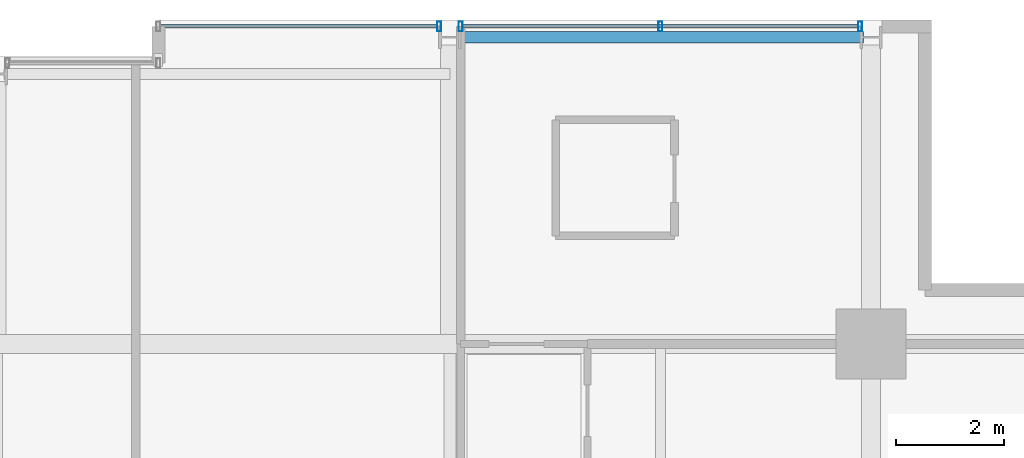
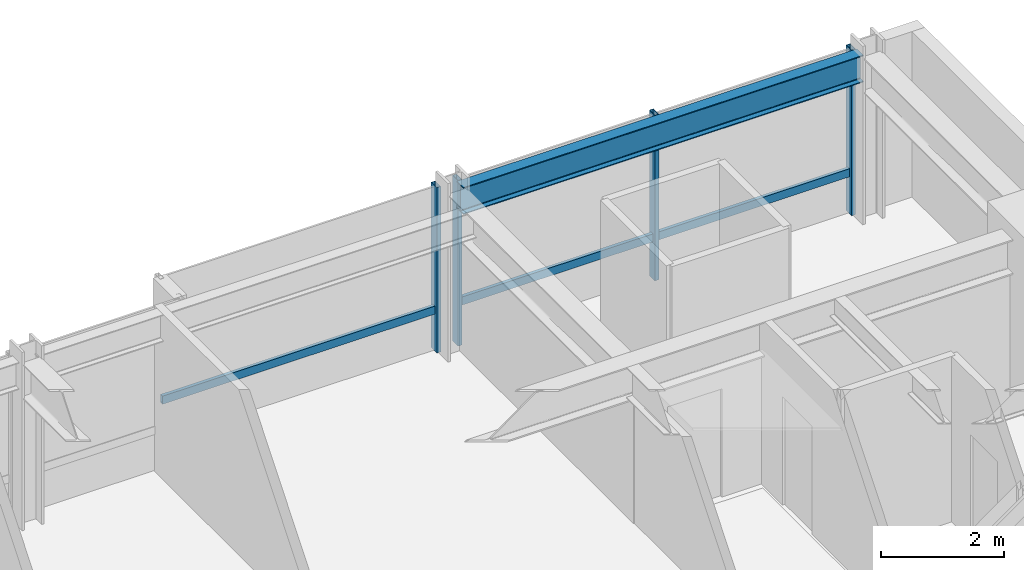
# One storey, part 24 of 33: 6 members, 1 beam, 2 elements without a shape of their own.
"""IFC4 building model written with IfcOpenShell, lengths in metres."""

from ifc_helpers import new_model, si_unit, direction, frame, origin, origin_2d, place, context, subcontext, project, spatial, hollow_rectangle, i_section, extrude, material, layer, layer_set, material_profile, profile_set, type_object, element, aggregate, save


model = new_model("IFC4")

# Units and contexts
model_context = context("Model", 3, precision=1e-05, world=origin(), true_north=direction((0.0, 1.0)))
body_context = subcontext(model_context, "Body", "Model", "MODEL_VIEW")
ifc_project = project(units=[si_unit("LENGTHUNIT", "METRE"), si_unit("AREAUNIT", "SQUARE_METRE"), si_unit("VOLUMEUNIT", "CUBIC_METRE"), si_unit("PLANEANGLEUNIT", "RADIAN"), si_unit("MASSUNIT", "GRAM", prefix="KILO")], contexts=[model_context])

# Site, building, storey
site_placement = place(None, origin())
site = spatial("IfcSite", under=ifc_project, at=site_placement, CompositionType="ELEMENT")
building_placement = place(site_placement, origin())
building = spatial("IfcBuilding", under=site, at=building_placement, Name="Drelvath Grand Hotel", CompositionType="ELEMENT")
storey_placement = place(building_placement, frame((0.0, 0.0, 153.949951171875)))
storey = spatial("IfcBuildingStorey", under=building, at=storey_placement, Name="L39", CompositionType="ELEMENT", Elevation=153.949951171875)

# Curtain wall, member
ifc_material_1 = material(Name="Brushed Pale-Silver Anodised Aluminium Frame", Category="aluminium")
ifc_layer = layer(ifc_material_1, 0.199951171875)
ifc_layer_set = layer_set([ifc_layer], Name="Brushed Pale-Silver Anodised Aluminium Frame")
curtain_wall_type = type_object("IfcCurtainWallType", Name="Stick Curtain Wall CW-04 Brushed Silver Upper-Mid", PredefinedType="NOTDEFINED", material=ifc_layer_set)
curtain_wall_1_placement = place(storey_placement, origin())
curtain_wall_1 = element("IfcCurtainWall", 1, at=curtain_wall_1_placement, inside=storey, type_object=curtain_wall_type, Name="L39 CW-04 Curtain Wall CW04-L39-NE1", PredefinedType="NOTDEFINED")
ifc_material_profile_1 = material_profile(ifc_material_1, hollow_rectangle(XDim=0.06494140625, YDim=0.159912109375, WallThickness=0.00390625, at=origin_2d()), Name="HSS160X65X4")
ifc_profile_set_1 = profile_set([ifc_material_profile_1], Name="Brushed Pale-Silver Anodised Aluminium Frame")
member_type_1 = type_object("IfcMemberType", Name="Curtain Wall Horizontal Transom CW-04 HSS160X65X4", PredefinedType="USERDEFINED", material=ifc_profile_set_1)
member_1_placement = place(storey_placement, frame((3.0400390625, 49.080078125, 0.822509765625), z_axis=(1.0, 0.0, 0.0), x_axis=(0.0, 1.0, 0.0)))
member_1 = element("IfcMember", 2, at=member_1_placement, type_object=member_type_1, Name="CW04-L39-NE1 Sill Transom", ObjectType="TRANSOM", PredefinedType="USERDEFINED", context=body_context, shape_type="SweptSolid", body=[
    extrude(hollow_rectangle(XDim=0.06494140625, YDim=0.159912109375, WallThickness=0.00390625, at=origin_2d()), origin(), (0.0, 0.0, 1.0), 5.119873046875),
])

curtain_wall_2_placement = place(storey_placement, origin())
curtain_wall_2 = element("IfcCurtainWall", 3, at=curtain_wall_2_placement, inside=storey, type_object=curtain_wall_type, Name="L39 CW-04 Curtain Wall CW04-L39-NE2", PredefinedType="NOTDEFINED")
member_2_placement = place(storey_placement, frame((8.64013671875, 49.080078125, 0.822509765625), z_axis=(1.0, 0.0, 0.0), x_axis=(0.0, 1.0, 0.0)))
member_2 = element("IfcMember", 4, at=member_2_placement, type_object=member_type_1, Name="CW04-L39-NE2 Sill Transom", ObjectType="TRANSOM", PredefinedType="USERDEFINED", context=body_context, shape_type="SweptSolid", body=[
    extrude(hollow_rectangle(XDim=0.06494140625, YDim=0.159912109375, WallThickness=0.00390625, at=origin_2d()), origin(), (0.0, 0.0, 1.0), 7.31982421875),
])

# Member
ifc_material_profile_2 = material_profile(ifc_material_1, hollow_rectangle(XDim=0.074951171875, YDim=0.179931640625, WallThickness=0.0048828125, at=origin_2d()), Name="HSS180X75X5")
ifc_profile_set_2 = profile_set([ifc_material_profile_2], Name="Brushed Pale-Silver Anodised Aluminium Frame")
member_type_2 = type_object("IfcMemberType", Name="Curtain Wall Vertical Mullion CW-04 HSS180X75X5", PredefinedType="MULLION", material=ifc_profile_set_2)
member_3_placement = place(storey_placement, frame((8.199951171875, 49.080078125, 0.0), z_axis=(0.0, 0.0, 1.0), x_axis=(1.0, 0.0, 0.0)))
member_3 = element("IfcMember", 5, at=member_3_placement, type_object=member_type_2, Name="CW04-L39-NE1 Mullion 2", PredefinedType="MULLION", context=body_context, shape_type="SweptSolid", body=[
    extrude(hollow_rectangle(XDim=0.074951171875, YDim=0.179931640625, WallThickness=0.0048828125, at=origin_2d()), origin(), (0.0, 0.0, 1.0), 3.2900390625),
])

aggregate(curtain_wall_1, [member_3, member_1])

member_4_placement = place(storey_placement, frame((8.60009765625, 49.080078125, 0.0), z_axis=(0.0, 0.0, 1.0), x_axis=(1.0, 0.0, 0.0)))
member_4 = element("IfcMember", 6, at=member_4_placement, type_object=member_type_2, Name="CW04-L39-NE2 Mullion 1", PredefinedType="MULLION", context=body_context, shape_type="SweptSolid", body=[
    extrude(hollow_rectangle(XDim=0.074951171875, YDim=0.179931640625, WallThickness=0.0048828125, at=origin_2d()), origin(), (0.0, 0.0, 1.0), 3.2900390625),
])

member_5_placement = place(storey_placement, frame((12.300048828125, 49.080078125, 0.0), z_axis=(0.0, 0.0, 1.0), x_axis=(1.0, 0.0, 0.0)))
member_5 = element("IfcMember", 7, at=member_5_placement, type_object=member_type_2, Name="CW04-L39-NE2 Mullion 2", PredefinedType="MULLION", context=body_context, shape_type="SweptSolid", body=[
    extrude(hollow_rectangle(XDim=0.074951171875, YDim=0.179931640625, WallThickness=0.0048828125, at=origin_2d()), origin(), (0.0, 0.0, 1.0), 3.2900390625),
])

member_6_placement = place(storey_placement, frame((16.0, 49.080078125, 0.0), z_axis=(0.0, 0.0, 1.0), x_axis=(1.0, 0.0, 0.0)))
member_6 = element("IfcMember", 8, at=member_6_placement, type_object=member_type_2, Name="CW04-L39-NE2 Mullion 3", PredefinedType="MULLION", context=body_context, shape_type="SweptSolid", body=[
    extrude(hollow_rectangle(XDim=0.074951171875, YDim=0.179931640625, WallThickness=0.0048828125, at=origin_2d()), origin(), (0.0, 0.0, 1.0), 3.2900390625),
])

aggregate(curtain_wall_2, [member_4, member_5, member_6, member_2])

# Beam
ifc_material_2 = material(Name="Steel ASTM A992 Gr 50", Category="steel")
ifc_material_profile_3 = material_profile(ifc_material_2, i_section(OverallWidth=0.210205078125, OverallDepth=0.53662109375, WebThickness=0.010986328125, FlangeThickness=0.017333984375, FilletRadius=0.01806640625, at=origin_2d()), Name="W21X68")
ifc_profile_set_3 = profile_set([ifc_material_profile_3], Name="Steel ASTM A992 Gr 50")
beam_type = type_object("IfcBeamType", Name="Perimeter Spandrel Beam W21X68", PredefinedType="SPANDREL", material=ifc_profile_set_3)
beam_placement = place(storey_placement, frame((8.5400390625, 48.8798828125, 3.021728515625), z_axis=(1.0, 0.0, 0.0), x_axis=(0.0, 1.0, 0.0)))
element("IfcBeam", 9, at=beam_placement, inside=storey, type_object=beam_type, Name="L39 Spandrel North E", PredefinedType="SPANDREL", context=body_context, shape_type="SweptSolid", body=[
    extrude(i_section(OverallWidth=0.210205078125, OverallDepth=0.53662109375, WebThickness=0.010986328125, FlangeThickness=0.017333984375, FilletRadius=0.01806640625, at=origin_2d()), origin(), (0.0, 0.0, 1.0), 7.52001953125),
])

save(model, "model.ifc")
